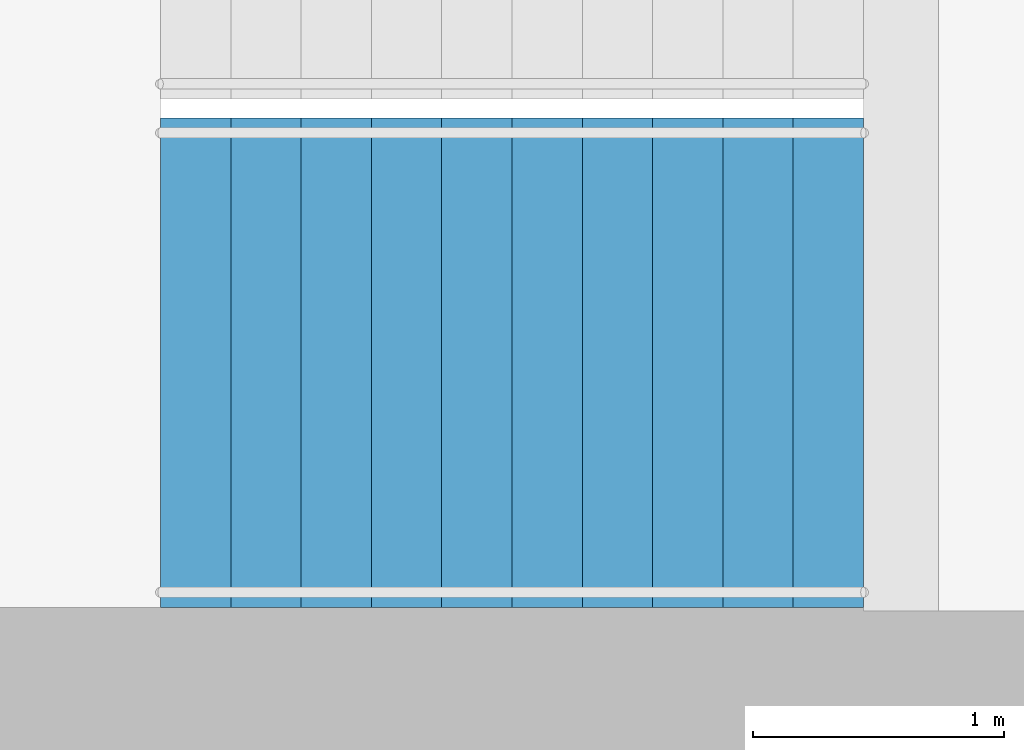
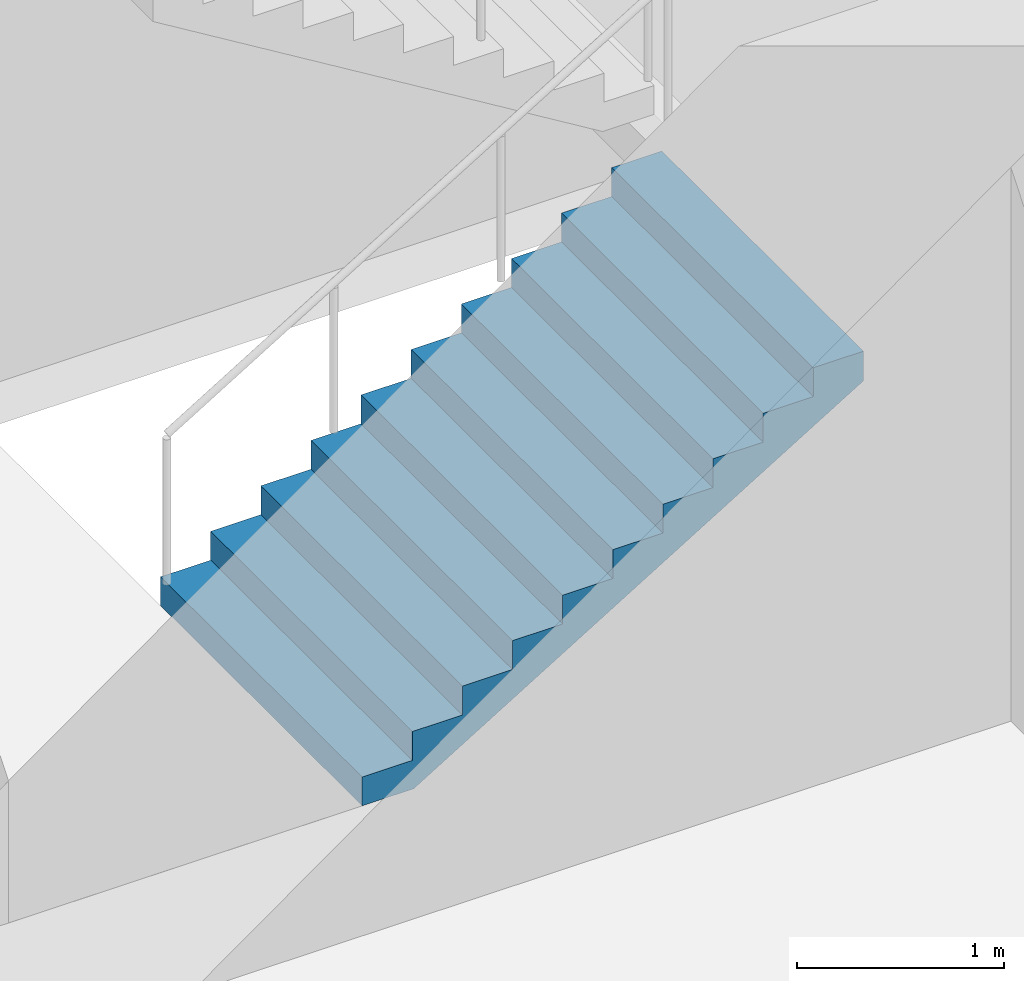
# One storey, part 17 of 21: 1 stair flight, 1 element without a shape of its own.
"""IFC4 building model written with IfcOpenShell, lengths in metres."""

from ifc_helpers import new_model, si_unit, direction, frame, origin, place, context, subcontext, project, spatial, triangles, material, type_object, element, aggregate, save


model = new_model("IFC4")

# Units and contexts
model_context = context("Model", 3, precision=1e-05, world=origin(), true_north=direction((0.0, 1.0)))
body_context = subcontext(model_context, "Body", "Model", "MODEL_VIEW")
ifc_project = project(units=[si_unit("LENGTHUNIT", "METRE"), si_unit("AREAUNIT", "SQUARE_METRE"), si_unit("VOLUMEUNIT", "CUBIC_METRE"), si_unit("PLANEANGLEUNIT", "RADIAN"), si_unit("MASSUNIT", "GRAM", prefix="KILO")], contexts=[model_context])

# Site, building, storey
site_placement = place(None, origin())
site = spatial("IfcSite", under=ifc_project, at=site_placement, CompositionType="ELEMENT")
building_placement = place(site_placement, origin())
building = spatial("IfcBuilding", under=site, at=building_placement, Name="Orbita Commons", CompositionType="ELEMENT")
storey_placement = place(building_placement, frame((0.0, 0.0, 103.14990234375)))
storey = spatial("IfcBuildingStorey", under=building, at=storey_placement, Name="L25", CompositionType="ELEMENT", Elevation=103.14990234375)

# Stair, stair flight
ifc_material_1 = material(Name="Precast concrete C40/50", Category="concrete")
stair_type = type_object("IfcStairType", Name="Exit stair S1 2 flights 11 risers 170", PredefinedType="HALF_TURN_STAIR", material=ifc_material_1)
stair_placement = place(storey_placement, origin())
stair = element("IfcStair", 1, at=stair_placement, inside=storey, type_object=stair_type, Name="Exit stair S1 L25", PredefinedType="HALF_TURN_STAIR")
ifc_material_2 = material(Name="Precast concrete C40/50", Category="concrete")
stair_flight_type = type_object("IfcStairFlightType", Name="Stair flight 11 risers 170 x 280", PredefinedType="STRAIGHT", material=ifc_material_2)
stair_flight_placement = place(storey_placement, frame((20.449951171875, 27.25, 0.0), z_axis=(0.0, 0.0, 1.0), x_axis=(1.0, 0.0, 0.0)))
stair_flight = element("IfcStairFlight", 2, at=stair_flight_placement, type_object=stair_flight_type, Name="S1 flight 1", NumberOfRisers=11, NumberOfTreads=10, PredefinedType="STRAIGHT", RiserHeight=0.170454545, TreadLength=0.28, context=body_context, shape_type="Tessellation", body=[
    triangles([(0.0, 0.974976, 0.0), (0.0, 0.974976, 0.021307), (0.0, 0.81248, 0.021307), (0.0, 0.81248, 0.0), (0.0, 0.649984, 0.021307), (0.0, 0.649984, 0.0), (0.0, 0.487488, 0.021307), (0.0, 0.487488, 0.0), (0.0, 0.324992, 0.021307), (0.0, 0.324992, 0.0), (0.0, 0.162496, 0.021307), (0.0, 0.162496, 0.0), (0.0, 0.0, 0.021307), (0.0, 0.0, 0.0), (0.0, -0.162496, 0.021307), (0.0, -0.162496, 0.0), (0.0, -0.324992, 0.021307), (0.0, -0.324992, 0.0), (0.0, -0.487488, 0.021307), (0.0, -0.487488, 0.0), (0.0, -0.649984, 0.021307), (0.0, -0.649984, 0.0), (0.0, -0.81248, 0.021307), (0.0, -0.81248, 0.0), (0.0, -0.974976, 0.021307), (0.0, -0.974976, 0.0), (0.0, 0.974976, 0.042614), (0.0, 0.81248, 0.042614), (0.0, 0.649984, 0.042614), (0.0, 0.487488, 0.042614), (0.0, 0.324992, 0.042614), (0.0, 0.162496, 0.042614), (0.0, 0.0, 0.042614), (0.0, -0.162496, 0.042614), (0.0, -0.324992, 0.042614), (0.0, -0.487488, 0.042614), (0.0, -0.649984, 0.042614), (0.0, -0.81248, 0.042614), (0.0, -0.974976, 0.042614), (0.0, 0.974976, 0.06392), (0.0, 0.81248, 0.06392), (0.0, 0.649984, 0.06392), (0.0, 0.487488, 0.06392), (0.0, 0.324992, 0.06392), (0.0, 0.162496, 0.06392), (0.0, 0.0, 0.06392), (0.0, -0.162496, 0.06392), (0.0, -0.324992, 0.06392), (0.0, -0.487488, 0.06392), (0.0, -0.649984, 0.06392), (0.0, -0.81248, 0.06392), (0.0, -0.974976, 0.06392), (0.0, 0.974976, 0.085227), (0.0, 0.81248, 0.085227), (0.0, 0.649984, 0.085227), (0.0, 0.487488, 0.085227), (0.0, 0.324992, 0.085227), (0.0, 0.162496, 0.085227), (0.0, 0.0, 0.085227), (0.0, -0.162496, 0.085227), (0.0, -0.324992, 0.085227), (0.0, -0.487488, 0.085227), (0.0, -0.649984, 0.085227), (0.0, -0.81248, 0.085227), (0.0, -0.974976, 0.085227), (0.0, 0.974976, 0.106534), (0.0, 0.81248, 0.106534), (0.0, 0.649984, 0.106534), (0.0, 0.487488, 0.106534), (0.0, 0.324992, 0.106534), (0.0, 0.162496, 0.106534), (0.0, 0.0, 0.106534), (0.0, -0.162496, 0.106534), (0.0, -0.324992, 0.106534), (0.0, -0.487488, 0.106534), (0.0, -0.649984, 0.106534), (0.0, -0.81248, 0.106534), (0.0, -0.974976, 0.106534), (0.0, 0.974976, 0.127841), (0.0, 0.81248, 0.127841), (0.0, 0.649984, 0.127841), (0.0, 0.487488, 0.127841), (0.0, 0.324992, 0.127841), (0.0, 0.162496, 0.127841), (0.0, 0.0, 0.127841), (0.0, -0.162496, 0.127841), (0.0, -0.324992, 0.127841), (0.0, -0.487488, 0.127841), (0.0, -0.649984, 0.127841), (0.0, -0.81248, 0.127841), (0.0, -0.974976, 0.127841), (0.0, 0.974976, 0.149148), (0.0, 0.81248, 0.149148), (0.0, 0.649984, 0.149148), (0.0, 0.487488, 0.149148), (0.0, 0.324992, 0.149148), (0.0, 0.162496, 0.149148), (0.0, 0.0, 0.149148), (0.0, -0.162496, 0.149148), (0.0, -0.324992, 0.149148), (0.0, -0.487488, 0.149148), (0.0, -0.649984, 0.149148), (0.0, -0.81248, 0.149148), (0.0, -0.974976, 0.149148), (0.0, 0.974976, 0.170455), (0.0, 0.81248, 0.170455), (0.0, 0.649984, 0.170455), (0.0, 0.487488, 0.170455), (0.0, 0.324992, 0.170455), (0.0, 0.162496, 0.170455), (0.0, 0.0, 0.170455), (0.0, -0.162496, 0.170455), (0.0, -0.324992, 0.170455), (0.0, -0.487488, 0.170455), (0.0, -0.649984, 0.170455), (0.0, -0.81248, 0.170455), (0.0, -0.974976, 0.170455), (0.28, 0.974976, 0.170455), (0.28, 0.81248, 0.170455), (0.28, 0.649984, 0.170455), (0.28, 0.487488, 0.170455), (0.28, 0.324992, 0.170455), (0.28, 0.162496, 0.170455), (0.28, 0.0, 0.170455), (0.28, -0.162496, 0.170455), (0.28, -0.324992, 0.170455), (0.28, -0.487488, 0.170455), (0.28, -0.649984, 0.170455), (0.28, -0.81248, 0.170455), (0.28, -0.974976, 0.170455), (0.28, 0.974976, 0.340909), (0.28, 0.81248, 0.340909), (0.28, 0.649984, 0.340909), (0.28, 0.487488, 0.340909), (0.28, 0.324992, 0.340909), (0.28, 0.162496, 0.340909), (0.28, 0.0, 0.340909), (0.28, -0.162496, 0.340909), (0.28, -0.324992, 0.340909), (0.28, -0.487488, 0.340909), (0.28, -0.649984, 0.340909), (0.28, -0.81248, 0.340909), (0.28, -0.974976, 0.340909), (0.56, 0.974976, 0.340909), (0.56, 0.81248, 0.340909), (0.56, 0.649984, 0.340909), (0.56, 0.487488, 0.340909), (0.56, 0.324992, 0.340909), (0.56, 0.162496, 0.340909), (0.56, 0.0, 0.340909), (0.56, -0.162496, 0.340909), (0.56, -0.324992, 0.340909), (0.56, -0.487488, 0.340909), (0.56, -0.649984, 0.340909), (0.56, -0.81248, 0.340909), (0.56, -0.974976, 0.340909), (0.56, 0.974976, 0.511364), (0.56, 0.81248, 0.511364), (0.56, 0.649984, 0.511364), (0.56, 0.487488, 0.511364), (0.56, 0.324992, 0.511364), (0.56, 0.162496, 0.511364), (0.56, 0.0, 0.511364), (0.56, -0.162496, 0.511364), (0.56, -0.324992, 0.511364), (0.56, -0.487488, 0.511364), (0.56, -0.649984, 0.511364), (0.56, -0.81248, 0.511364), (0.56, -0.974976, 0.511364), (0.84, 0.974976, 0.511364), (0.84, 0.81248, 0.511364), (0.84, 0.649984, 0.511364), (0.84, 0.487488, 0.511364), (0.84, 0.324992, 0.511364), (0.84, 0.162496, 0.511364), (0.84, 0.0, 0.511364), (0.84, -0.162496, 0.511364), (0.84, -0.324992, 0.511364), (0.84, -0.487488, 0.511364), (0.84, -0.649984, 0.511364), (0.84, -0.81248, 0.511364), (0.84, -0.974976, 0.511364), (0.84, 0.974976, 0.681818), (0.84, 0.81248, 0.681818), (0.84, 0.649984, 0.681818), (0.84, 0.487488, 0.681818), (0.84, 0.324992, 0.681818), (0.84, 0.162496, 0.681818), (0.84, 0.0, 0.681818), (0.84, -0.162496, 0.681818), (0.84, -0.324992, 0.681818), (0.84, -0.487488, 0.681818), (0.84, -0.649984, 0.681818), (0.84, -0.81248, 0.681818), (0.84, -0.974976, 0.681818), (1.12, 0.974976, 0.681818), (1.12, 0.81248, 0.681818), (1.12, 0.649984, 0.681818), (1.12, 0.487488, 0.681818), (1.12, 0.324992, 0.681818), (1.12, 0.162496, 0.681818), (1.12, 0.0, 0.681818), (1.12, -0.162496, 0.681818), (1.12, -0.324992, 0.681818), (1.12, -0.487488, 0.681818), (1.12, -0.649984, 0.681818), (1.12, -0.81248, 0.681818), (1.12, -0.974976, 0.681818), (1.12, 0.974976, 0.852273), (1.12, 0.81248, 0.852273), (1.12, 0.649984, 0.852273), (1.12, 0.487488, 0.852273), (1.12, 0.324992, 0.852273), (1.12, 0.162496, 0.852273), (1.12, 0.0, 0.852273), (1.12, -0.162496, 0.852273), (1.12, -0.324992, 0.852273), (1.12, -0.487488, 0.852273), (1.12, -0.649984, 0.852273), (1.12, -0.81248, 0.852273), (1.12, -0.974976, 0.852273), (1.4, 0.974976, 0.852273), (1.4, 0.81248, 0.852273), (1.4, 0.649984, 0.852273), (1.4, 0.487488, 0.852273), (1.4, 0.324992, 0.852273), (1.4, 0.162496, 0.852273), (1.4, 0.0, 0.852273), (1.4, -0.162496, 0.852273), (1.4, -0.324992, 0.852273), (1.4, -0.487488, 0.852273), (1.4, -0.649984, 0.852273), (1.4, -0.81248, 0.852273), (1.4, -0.974976, 0.852273), (1.4, 0.974976, 1.022727), (1.4, 0.81248, 1.022727), (1.4, 0.649984, 1.022727), (1.4, 0.487488, 1.022727), (1.4, 0.324992, 1.022727), (1.4, 0.162496, 1.022727), (1.4, 0.0, 1.022727), (1.4, -0.162496, 1.022727), (1.4, -0.324992, 1.022727), (1.4, -0.487488, 1.022727), (1.4, -0.649984, 1.022727), (1.4, -0.81248, 1.022727), (1.4, -0.974976, 1.022727), (1.68, 0.974976, 1.022727), (1.68, 0.81248, 1.022727), (1.68, 0.649984, 1.022727), (1.68, 0.487488, 1.022727), (1.68, 0.324992, 1.022727), (1.68, 0.162496, 1.022727), (1.68, 0.0, 1.022727), (1.68, -0.162496, 1.022727), (1.68, -0.324992, 1.022727), (1.68, -0.487488, 1.022727), (1.68, -0.649984, 1.022727), (1.68, -0.81248, 1.022727), (1.68, -0.974976, 1.022727), (1.68, 0.974976, 1.193182), (1.68, 0.81248, 1.193182), (1.68, 0.649984, 1.193182), (1.68, 0.487488, 1.193182), (1.68, 0.324992, 1.193182), (1.68, 0.162496, 1.193182), (1.68, 0.0, 1.193182), (1.68, -0.162496, 1.193182), (1.68, -0.324992, 1.193182), (1.68, -0.487488, 1.193182), (1.68, -0.649984, 1.193182), (1.68, -0.81248, 1.193182), (1.68, -0.974976, 1.193182), (1.96, 0.974976, 1.193182), (1.96, 0.81248, 1.193182), (1.96, 0.649984, 1.193182), (1.96, 0.487488, 1.193182), (1.96, 0.324992, 1.193182), (1.96, 0.162496, 1.193182), (1.96, 0.0, 1.193182), (1.96, -0.162496, 1.193182), (1.96, -0.324992, 1.193182), (1.96, -0.487488, 1.193182), (1.96, -0.649984, 1.193182), (1.96, -0.81248, 1.193182), (1.96, -0.974976, 1.193182), (1.96, 0.974976, 1.363636), (1.96, 0.81248, 1.363636), (1.96, 0.649984, 1.363636), (1.96, 0.487488, 1.363636), (1.96, 0.324992, 1.363636), (1.96, 0.162496, 1.363636), (1.96, 0.0, 1.363636), (1.96, -0.162496, 1.363636), (1.96, -0.324992, 1.363636), (1.96, -0.487488, 1.363636), (1.96, -0.649984, 1.363636), (1.96, -0.81248, 1.363636), (1.96, -0.974976, 1.363636), (2.24, 0.974976, 1.363636), (2.24, 0.81248, 1.363636), (2.24, 0.649984, 1.363636), (2.24, 0.487488, 1.363636), (2.24, 0.324992, 1.363636), (2.24, 0.162496, 1.363636), (2.24, 0.0, 1.363636), (2.24, -0.162496, 1.363636), (2.24, -0.324992, 1.363636), (2.24, -0.487488, 1.363636), (2.24, -0.649984, 1.363636), (2.24, -0.81248, 1.363636), (2.24, -0.974976, 1.363636), (2.24, 0.974976, 1.534091), (2.24, 0.81248, 1.534091), (2.24, 0.649984, 1.534091), (2.24, 0.487488, 1.534091), (2.24, 0.324992, 1.534091), (2.24, 0.162496, 1.534091), (2.24, 0.0, 1.534091), (2.24, -0.162496, 1.534091), (2.24, -0.324992, 1.534091), (2.24, -0.487488, 1.534091), (2.24, -0.649984, 1.534091), (2.24, -0.81248, 1.534091), (2.24, -0.974976, 1.534091), (2.52, 0.974976, 1.534091), (2.52, 0.81248, 1.534091), (2.52, 0.649984, 1.534091), (2.52, 0.487488, 1.534091), (2.52, 0.324992, 1.534091), (2.52, 0.162496, 1.534091), (2.52, 0.0, 1.534091), (2.52, -0.162496, 1.534091), (2.52, -0.324992, 1.534091), (2.52, -0.487488, 1.534091), (2.52, -0.649984, 1.534091), (2.52, -0.81248, 1.534091), (2.52, -0.974976, 1.534091), (2.52, 0.974976, 1.704545), (2.52, 0.81248, 1.704545), (2.52, 0.649984, 1.704545), (2.52, 0.487488, 1.704545), (2.52, 0.324992, 1.704545), (2.52, 0.162496, 1.704545), (2.52, 0.0, 1.704545), (2.52, -0.162496, 1.704545), (2.52, -0.324992, 1.704545), (2.52, -0.487488, 1.704545), (2.52, -0.649984, 1.704545), (2.52, -0.81248, 1.704545), (2.52, -0.974976, 1.704545), (2.8, 0.974976, 1.704545), (2.8, 0.81248, 1.704545), (2.8, 0.649984, 1.704545), (2.8, 0.487488, 1.704545), (2.8, 0.324992, 1.704545), (2.8, 0.162496, 1.704545), (2.8, 0.0, 1.704545), (2.8, -0.162496, 1.704545), (2.8, -0.324992, 1.704545), (2.8, -0.487488, 1.704545), (2.8, -0.649984, 1.704545), (2.8, -0.81248, 1.704545), (2.8, -0.974976, 1.704545), (2.8, 0.974976, 1.682609), (2.8, 0.81248, 1.682609), (2.8, 0.649984, 1.682609), (2.8, 0.487488, 1.682609), (2.8, 0.324992, 1.682609), (2.8, 0.162496, 1.682609), (2.8, 0.0, 1.682609), (2.8, -0.162496, 1.682609), (2.8, -0.324992, 1.682609), (2.8, -0.487488, 1.682609), (2.8, -0.649984, 1.682609), (2.8, -0.81248, 1.682609), (2.8, -0.974976, 1.682609), (2.8, 0.974976, 1.660672), (2.8, 0.81248, 1.660672), (2.8, 0.649984, 1.660672), (2.8, 0.487488, 1.660672), (2.8, 0.324992, 1.660672), (2.8, 0.162496, 1.660672), (2.8, 0.0, 1.660672), (2.8, -0.162496, 1.660672), (2.8, -0.324992, 1.660672), (2.8, -0.487488, 1.660672), (2.8, -0.649984, 1.660672), (2.8, -0.81248, 1.660672), (2.8, -0.974976, 1.660672), (2.8, 0.974976, 1.638735), (2.8, 0.81248, 1.638735), (2.8, 0.649984, 1.638735), (2.8, 0.487488, 1.638735), (2.8, 0.324992, 1.638735), (2.8, 0.162496, 1.638735), (2.8, 0.0, 1.638735), (2.8, -0.162496, 1.638735), (2.8, -0.324992, 1.638735), (2.8, -0.487488, 1.638735), (2.8, -0.649984, 1.638735), (2.8, -0.81248, 1.638735), (2.8, -0.974976, 1.638735), (2.8, 0.974976, 1.616798), (2.8, 0.81248, 1.616798), (2.8, 0.649984, 1.616798), (2.8, 0.487488, 1.616798), (2.8, 0.324992, 1.616798), (2.8, 0.162496, 1.616798), (2.8, 0.0, 1.616798), (2.8, -0.162496, 1.616798), (2.8, -0.324992, 1.616798), (2.8, -0.487488, 1.616798), (2.8, -0.649984, 1.616798), (2.8, -0.81248, 1.616798), (2.8, -0.974976, 1.616798), (2.8, 0.974976, 1.594861), (2.8, 0.81248, 1.594861), (2.8, 0.649984, 1.594861), (2.8, 0.487488, 1.594861), (2.8, 0.324992, 1.594861), (2.8, 0.162496, 1.594861), (2.8, 0.0, 1.594861), (2.8, -0.162496, 1.594861), (2.8, -0.324992, 1.594861), (2.8, -0.487488, 1.594861), (2.8, -0.649984, 1.594861), (2.8, -0.81248, 1.594861), (2.8, -0.974976, 1.594861), (2.8, 0.974976, 1.572925), (2.8, 0.81248, 1.572925), (2.8, 0.649984, 1.572925), (2.8, 0.487488, 1.572925), (2.8, 0.324992, 1.572925), (2.8, 0.162496, 1.572925), (2.8, 0.0, 1.572925), (2.8, -0.162496, 1.572925), (2.8, -0.324992, 1.572925), (2.8, -0.487488, 1.572925), (2.8, -0.649984, 1.572925), (2.8, -0.81248, 1.572925), (2.8, -0.974976, 1.572925), (2.8, 0.974976, 1.550988), (2.8, 0.81248, 1.550988), (2.8, 0.649984, 1.550988), (2.8, 0.487488, 1.550988), (2.8, 0.324992, 1.550988), (2.8, 0.162496, 1.550988), (2.8, 0.0, 1.550988), (2.8, -0.162496, 1.550988), (2.8, -0.324992, 1.550988), (2.8, -0.487488, 1.550988), (2.8, -0.649984, 1.550988), (2.8, -0.81248, 1.550988), (2.8, -0.974976, 1.550988), (2.8, 0.974976, 1.529051), (2.8, 0.81248, 1.529051), (2.8, 0.649984, 1.529051), (2.8, 0.487488, 1.529051), (2.8, 0.324992, 1.529051), (2.8, 0.162496, 1.529051), (2.8, 0.0, 1.529051), (2.8, -0.162496, 1.529051), (2.8, -0.324992, 1.529051), (2.8, -0.487488, 1.529051), (2.8, -0.649984, 1.529051), (2.8, -0.81248, 1.529051), (2.8, -0.974976, 1.529051), (0.288279, 0.974976, 0.0), (0.288279, 0.81248, 0.0), (0.288279, 0.649984, 0.0), (0.288279, 0.487488, 0.0), (0.288279, 0.324992, 0.0), (0.288279, 0.162496, 0.0), (0.288279, 0.0, 0.0), (0.288279, -0.162496, 0.0), (0.288279, -0.324992, 0.0), (0.288279, -0.487488, 0.0), (0.288279, -0.649984, 0.0), (0.288279, -0.81248, 0.0), (0.288279, -0.974976, 0.0)], [[3, 2, 1], [4, 3, 1], [5, 3, 4], [6, 5, 4], [7, 5, 6], [8, 7, 6], [9, 7, 8], [10, 9, 8], [11, 9, 10], [12, 11, 10], [13, 11, 12], [14, 13, 12], [15, 13, 14], [16, 15, 14], [17, 15, 16], [18, 17, 16], [19, 17, 18], [20, 19, 18], [21, 19, 20], [22, 21, 20], [23, 21, 22], [24, 23, 22], [25, 23, 24], [26, 25, 24], [28, 27, 2], [3, 28, 2], [29, 28, 3], [5, 29, 3], [30, 29, 5], [7, 30, 5], [31, 30, 7], [9, 31, 7], [32, 31, 9], [11, 32, 9], [33, 32, 11], [13, 33, 11], [34, 33, 13], [15, 34, 13], [35, 34, 15], [17, 35, 15], [36, 35, 17], [19, 36, 17], [37, 36, 19], [21, 37, 19], [38, 37, 21], [23, 38, 21], [39, 38, 23], [25, 39, 23], [41, 40, 27], [28, 41, 27], [42, 41, 28], [29, 42, 28], [43, 42, 29], [30, 43, 29], [44, 43, 30], [31, 44, 30], [45, 44, 31], [32, 45, 31], [46, 45, 32], [33, 46, 32], [47, 46, 33], [34, 47, 33], [48, 47, 34], [35, 48, 34], [49, 48, 35], [36, 49, 35], [50, 49, 36], [37, 50, 36], [51, 50, 37], [38, 51, 37], [52, 51, 38], [39, 52, 38], [54, 53, 40], [41, 54, 40], [55, 54, 41], [42, 55, 41], [56, 55, 42], [43, 56, 42], [57, 56, 43], [44, 57, 43], [58, 57, 44], [45, 58, 44], [59, 58, 45], [46, 59, 45], [60, 59, 46], [47, 60, 46], [61, 60, 47], [48, 61, 47], [62, 61, 48], [49, 62, 48], [63, 62, 49], [50, 63, 49], [64, 63, 50], [51, 64, 50], [65, 64, 51], [52, 65, 51], [67, 66, 53], [54, 67, 53], [68, 67, 54], [55, 68, 54], [69, 68, 55], [56, 69, 55], [70, 69, 56], [57, 70, 56], [71, 70, 57], [58, 71, 57], [72, 71, 58], [59, 72, 58], [73, 72, 59], [60, 73, 59], [74, 73, 60], [61, 74, 60], [75, 74, 61], [62, 75, 61], [76, 75, 62], [63, 76, 62], [77, 76, 63], [64, 77, 63], [78, 77, 64], [65, 78, 64], [80, 79, 66], [67, 80, 66], [81, 80, 67], [68, 81, 67], [82, 81, 68], [69, 82, 68], [83, 82, 69], [70, 83, 69], [84, 83, 70], [71, 84, 70], [85, 84, 71], [72, 85, 71], [86, 85, 72], [73, 86, 72], [87, 86, 73], [74, 87, 73], [88, 87, 74], [75, 88, 74], [89, 88, 75], [76, 89, 75], [90, 89, 76], [77, 90, 76], [91, 90, 77], [78, 91, 77], [93, 92, 79], [80, 93, 79], [94, 93, 80], [81, 94, 80], [95, 94, 81], [82, 95, 81], [96, 95, 82], [83, 96, 82], [97, 96, 83], [84, 97, 83], [98, 97, 84], [85, 98, 84], [99, 98, 85], [86, 99, 85], [100, 99, 86], [87, 100, 86], [101, 100, 87], [88, 101, 87], [102, 101, 88], [89, 102, 88], [103, 102, 89], [90, 103, 89], [104, 103, 90], [91, 104, 90], [106, 105, 92], [93, 106, 92], [107, 106, 93], [94, 107, 93], [108, 107, 94], [95, 108, 94], [109, 108, 95], [96, 109, 95], [110, 109, 96], [97, 110, 96], [111, 110, 97], [98, 111, 97], [112, 111, 98], [99, 112, 98], [113, 112, 99], [100, 113, 99], [114, 113, 100], [101, 114, 100], [115, 114, 101], [102, 115, 101], [116, 115, 102], [103, 116, 102], [117, 116, 103], [104, 117, 103], [119, 118, 105], [106, 119, 105], [120, 119, 106], [107, 120, 106], [121, 120, 107], [108, 121, 107], [122, 121, 108], [109, 122, 108], [123, 122, 109], [110, 123, 109], [124, 123, 110], [111, 124, 110], [125, 124, 111], [112, 125, 111], [126, 125, 112], [113, 126, 112], [127, 126, 113], [114, 127, 113], [128, 127, 114], [115, 128, 114], [129, 128, 115], [116, 129, 115], [130, 129, 116], [117, 130, 116], [132, 131, 118], [119, 132, 118], [133, 132, 119], [120, 133, 119], [134, 133, 120], [121, 134, 120], [135, 134, 121], [122, 135, 121], [136, 135, 122], [123, 136, 122], [137, 136, 123], [124, 137, 123], [138, 137, 124], [125, 138, 124], [139, 138, 125], [126, 139, 125], [140, 139, 126], [127, 140, 126], [141, 140, 127], [128, 141, 127], [142, 141, 128], [129, 142, 128], [143, 142, 129], [130, 143, 129], [145, 144, 131], [132, 145, 131], [146, 145, 132], [133, 146, 132], [147, 146, 133], [134, 147, 133], [148, 147, 134], [135, 148, 134], [149, 148, 135], [136, 149, 135], [150, 149, 136], [137, 150, 136], [151, 150, 137], [138, 151, 137], [152, 151, 138], [139, 152, 138], [153, 152, 139], [140, 153, 139], [154, 153, 140], [141, 154, 140], [155, 154, 141], [142, 155, 141], [156, 155, 142], [143, 156, 142], [158, 157, 144], [145, 158, 144], [159, 158, 145], [146, 159, 145], [160, 159, 146], [147, 160, 146], [161, 160, 147], [148, 161, 147], [162, 161, 148], [149, 162, 148], [163, 162, 149], [150, 163, 149], [164, 163, 150], [151, 164, 150], [165, 164, 151], [152, 165, 151], [166, 165, 152], [153, 166, 152], [167, 166, 153], [154, 167, 153], [168, 167, 154], [155, 168, 154], [169, 168, 155], [156, 169, 155], [171, 170, 157], [158, 171, 157], [172, 171, 158], [159, 172, 158], [173, 172, 159], [160, 173, 159], [174, 173, 160], [161, 174, 160], [175, 174, 161], [162, 175, 161], [176, 175, 162], [163, 176, 162], [177, 176, 163], [164, 177, 163], [178, 177, 164], [165, 178, 164], [179, 178, 165], [166, 179, 165], [180, 179, 166], [167, 180, 166], [181, 180, 167], [168, 181, 167], [182, 181, 168], [169, 182, 168], [184, 183, 170], [171, 184, 170], [185, 184, 171], [172, 185, 171], [186, 185, 172], [173, 186, 172], [187, 186, 173], [174, 187, 173], [188, 187, 174], [175, 188, 174], [189, 188, 175], [176, 189, 175], [190, 189, 176], [177, 190, 176], [191, 190, 177], [178, 191, 177], [192, 191, 178], [179, 192, 178], [193, 192, 179], [180, 193, 179], [194, 193, 180], [181, 194, 180], [195, 194, 181], [182, 195, 181], [197, 196, 183], [184, 197, 183], [198, 197, 184], [185, 198, 184], [199, 198, 185], [186, 199, 185], [200, 199, 186], [187, 200, 186], [201, 200, 187], [188, 201, 187], [202, 201, 188], [189, 202, 188], [203, 202, 189], [190, 203, 189], [204, 203, 190], [191, 204, 190], [205, 204, 191], [192, 205, 191], [206, 205, 192], [193, 206, 192], [207, 206, 193], [194, 207, 193], [208, 207, 194], [195, 208, 194], [210, 209, 196], [197, 210, 196], [211, 210, 197], [198, 211, 197], [212, 211, 198], [199, 212, 198], [213, 212, 199], [200, 213, 199], [214, 213, 200], [201, 214, 200], [215, 214, 201], [202, 215, 201], [216, 215, 202], [203, 216, 202], [217, 216, 203], [204, 217, 203], [218, 217, 204], [205, 218, 204], [219, 218, 205], [206, 219, 205], [220, 219, 206], [207, 220, 206], [221, 220, 207], [208, 221, 207], [223, 222, 209], [210, 223, 209], [224, 223, 210], [211, 224, 210], [225, 224, 211], [212, 225, 211], [226, 225, 212], [213, 226, 212], [227, 226, 213], [214, 227, 213], [228, 227, 214], [215, 228, 214], [229, 228, 215], [216, 229, 215], [230, 229, 216], [217, 230, 216], [231, 230, 217], [218, 231, 217], [232, 231, 218], [219, 232, 218], [233, 232, 219], [220, 233, 219], [234, 233, 220], [221, 234, 220], [236, 235, 222], [223, 236, 222], [237, 236, 223], [224, 237, 223], [238, 237, 224], [225, 238, 224], [239, 238, 225], [226, 239, 225], [240, 239, 226], [227, 240, 226], [241, 240, 227], [228, 241, 227], [242, 241, 228], [229, 242, 228], [243, 242, 229], [230, 243, 229], [244, 243, 230], [231, 244, 230], [245, 244, 231], [232, 245, 231], [246, 245, 232], [233, 246, 232], [247, 246, 233], [234, 247, 233], [249, 248, 235], [236, 249, 235], [250, 249, 236], [237, 250, 236], [251, 250, 237], [238, 251, 237], [252, 251, 238], [239, 252, 238], [253, 252, 239], [240, 253, 239], [254, 253, 240], [241, 254, 240], [255, 254, 241], [242, 255, 241], [256, 255, 242], [243, 256, 242], [257, 256, 243], [244, 257, 243], [258, 257, 244], [245, 258, 244], [259, 258, 245], [246, 259, 245], [260, 259, 246], [247, 260, 246], [262, 261, 248], [249, 262, 248], [263, 262, 249], [250, 263, 249], [264, 263, 250], [251, 264, 250], [265, 264, 251], [252, 265, 251], [266, 265, 252], [253, 266, 252], [267, 266, 253], [254, 267, 253], [268, 267, 254], [255, 268, 254], [269, 268, 255], [256, 269, 255], [270, 269, 256], [257, 270, 256], [271, 270, 257], [258, 271, 257], [272, 271, 258], [259, 272, 258], [273, 272, 259], [260, 273, 259], [275, 274, 261], [262, 275, 261], [276, 275, 262], [263, 276, 262], [277, 276, 263], [264, 277, 263], [278, 277, 264], [265, 278, 264], [279, 278, 265], [266, 279, 265], [280, 279, 266], [267, 280, 266], [281, 280, 267], [268, 281, 267], [282, 281, 268], [269, 282, 268], [283, 282, 269], [270, 283, 269], [284, 283, 270], [271, 284, 270], [285, 284, 271], [272, 285, 271], [286, 285, 272], [273, 286, 272], [288, 287, 274], [275, 288, 274], [289, 288, 275], [276, 289, 275], [290, 289, 276], [277, 290, 276], [291, 290, 277], [278, 291, 277], [292, 291, 278], [279, 292, 278], [293, 292, 279], [280, 293, 279], [294, 293, 280], [281, 294, 280], [295, 294, 281], [282, 295, 281], [296, 295, 282], [283, 296, 282], [297, 296, 283], [284, 297, 283], [298, 297, 284], [285, 298, 284], [299, 298, 285], [286, 299, 285], [301, 300, 287], [288, 301, 287], [302, 301, 288], [289, 302, 288], [303, 302, 289], [290, 303, 289], [304, 303, 290], [291, 304, 290], [305, 304, 291], [292, 305, 291], [306, 305, 292], [293, 306, 292], [307, 306, 293], [294, 307, 293], [308, 307, 294], [295, 308, 294], [309, 308, 295], [296, 309, 295], [310, 309, 296], [297, 310, 296], [311, 310, 297], [298, 311, 297], [312, 311, 298], [299, 312, 298], [314, 313, 300], [301, 314, 300], [315, 314, 301], [302, 315, 301], [316, 315, 302], [303, 316, 302], [317, 316, 303], [304, 317, 303], [318, 317, 304], [305, 318, 304], [319, 318, 305], [306, 319, 305], [320, 319, 306], [307, 320, 306], [321, 320, 307], [308, 321, 307], [322, 321, 308], [309, 322, 308], [323, 322, 309], [310, 323, 309], [324, 323, 310], [311, 324, 310], [325, 324, 311], [312, 325, 311], [327, 326, 313], [314, 327, 313], [328, 327, 314], [315, 328, 314], [329, 328, 315], [316, 329, 315], [330, 329, 316], [317, 330, 316], [331, 330, 317], [318, 331, 317], [332, 331, 318], [319, 332, 318], [333, 332, 319], [320, 333, 319], [334, 333, 320], [321, 334, 320], [335, 334, 321], [322, 335, 321], [336, 335, 322], [323, 336, 322], [337, 336, 323], [324, 337, 323], [338, 337, 324], [325, 338, 324], [340, 339, 326], [327, 340, 326], [341, 340, 327], [328, 341, 327], [342, 341, 328], [329, 342, 328], [343, 342, 329], [330, 343, 329], [344, 343, 330], [331, 344, 330], [345, 344, 331], [332, 345, 331], [346, 345, 332], [333, 346, 332], [347, 346, 333], [334, 347, 333], [348, 347, 334], [335, 348, 334], [349, 348, 335], [336, 349, 335], [350, 349, 336], [337, 350, 336], [351, 350, 337], [338, 351, 337], [353, 352, 339], [340, 353, 339], [354, 353, 340], [341, 354, 340], [355, 354, 341], [342, 355, 341], [356, 355, 342], [343, 356, 342], [357, 356, 343], [344, 357, 343], [358, 357, 344], [345, 358, 344], [359, 358, 345], [346, 359, 345], [360, 359, 346], [347, 360, 346], [361, 360, 347], [348, 361, 347], [362, 361, 348], [349, 362, 348], [363, 362, 349], [350, 363, 349], [364, 363, 350], [351, 364, 350], [366, 365, 352], [353, 366, 352], [367, 366, 353], [354, 367, 353], [368, 367, 354], [355, 368, 354], [369, 368, 355], [356, 369, 355], [370, 369, 356], [357, 370, 356], [371, 370, 357], [358, 371, 357], [372, 371, 358], [359, 372, 358], [373, 372, 359], [360, 373, 359], [374, 373, 360], [361, 374, 360], [375, 374, 361], [362, 375, 361], [376, 375, 362], [363, 376, 362], [377, 376, 363], [364, 377, 363], [379, 378, 365], [366, 379, 365], [380, 379, 366], [367, 380, 366], [381, 380, 367], [368, 381, 367], [382, 381, 368], [369, 382, 368], [383, 382, 369], [370, 383, 369], [384, 383, 370], [371, 384, 370], [385, 384, 371], [372, 385, 371], [386, 385, 372], [373, 386, 372], [387, 386, 373], [374, 387, 373], [388, 387, 374], [375, 388, 374], [389, 388, 375], [376, 389, 375], [390, 389, 376], [377, 390, 376], [392, 391, 378], [379, 392, 378], [393, 392, 379], [380, 393, 379], [394, 393, 380], [381, 394, 380], [395, 394, 381], [382, 395, 381], [396, 395, 382], [383, 396, 382], [397, 396, 383], [384, 397, 383], [398, 397, 384], [385, 398, 384], [399, 398, 385], [386, 399, 385], [400, 399, 386], [387, 400, 386], [401, 400, 387], [388, 401, 387], [402, 401, 388], [389, 402, 388], [403, 402, 389], [390, 403, 389], [405, 404, 391], [392, 405, 391], [406, 405, 392], [393, 406, 392], [407, 406, 393], [394, 407, 393], [408, 407, 394], [395, 408, 394], [409, 408, 395], [396, 409, 395], [410, 409, 396], [397, 410, 396], [411, 410, 397], [398, 411, 397], [412, 411, 398], [399, 412, 398], [413, 412, 399], [400, 413, 399], [414, 413, 400], [401, 414, 400], [415, 414, 401], [402, 415, 401], [416, 415, 402], [403, 416, 402], [418, 417, 404], [405, 418, 404], [419, 418, 405], [406, 419, 405], [420, 419, 406], [407, 420, 406], [421, 420, 407], [408, 421, 407], [422, 421, 408], [409, 422, 408], [423, 422, 409], [410, 423, 409], [424, 423, 410], [411, 424, 410], [425, 424, 411], [412, 425, 411], [426, 425, 412], [413, 426, 412], [427, 426, 413], [414, 427, 413], [428, 427, 414], [415, 428, 414], [429, 428, 415], [416, 429, 415], [431, 430, 417], [418, 431, 417], [432, 431, 418], [419, 432, 418], [433, 432, 419], [420, 433, 419], [434, 433, 420], [421, 434, 420], [435, 434, 421], [422, 435, 421], [436, 435, 422], [423, 436, 422], [437, 436, 423], [424, 437, 423], [438, 437, 424], [425, 438, 424], [439, 438, 425], [426, 439, 425], [440, 439, 426], [427, 440, 426], [441, 440, 427], [428, 441, 427], [442, 441, 428], [429, 442, 428], [444, 443, 430], [431, 444, 430], [445, 444, 431], [432, 445, 431], [446, 445, 432], [433, 446, 432], [447, 446, 433], [434, 447, 433], [448, 447, 434], [435, 448, 434], [449, 448, 435], [436, 449, 435], [450, 449, 436], [437, 450, 436], [451, 450, 437], [438, 451, 437], [452, 451, 438], [439, 452, 438], [453, 452, 439], [440, 453, 439], [454, 453, 440], [441, 454, 440], [455, 454, 441], [442, 455, 441], [457, 456, 443], [444, 457, 443], [458, 457, 444], [445, 458, 444], [459, 458, 445], [446, 459, 445], [460, 459, 446], [447, 460, 446], [461, 460, 447], [448, 461, 447], [462, 461, 448], [449, 462, 448], [463, 462, 449], [450, 463, 449], [464, 463, 450], [451, 464, 450], [465, 464, 451], [452, 465, 451], [466, 465, 452], [453, 466, 452], [467, 466, 453], [454, 467, 453], [468, 467, 454], [455, 468, 454], [470, 469, 456], [457, 470, 456], [471, 470, 457], [458, 471, 457], [472, 471, 458], [459, 472, 458], [473, 472, 459], [460, 473, 459], [474, 473, 460], [461, 474, 460], [475, 474, 461], [462, 475, 461], [476, 475, 462], [463, 476, 462], [477, 476, 463], [464, 477, 463], [478, 477, 464], [465, 478, 464], [479, 478, 465], [466, 479, 465], [480, 479, 466], [467, 480, 466], [481, 480, 467], [468, 481, 467], [4, 1, 469], [470, 4, 469], [6, 4, 470], [471, 6, 470], [8, 6, 471], [472, 8, 471], [10, 8, 472], [473, 10, 472], [12, 10, 473], [474, 12, 473], [14, 12, 474], [475, 14, 474], [16, 14, 475], [476, 16, 475], [18, 16, 476], [477, 18, 476], [20, 18, 477], [478, 20, 477], [22, 20, 478], [479, 22, 478], [24, 22, 479], [480, 24, 479], [26, 24, 480], [481, 26, 480], [456, 469, 1], [26, 481, 468], [443, 456, 1], [26, 468, 455], [430, 443, 1], [26, 455, 442], [417, 430, 1], [26, 442, 429], [404, 417, 1], [26, 429, 416], [391, 404, 1], [26, 416, 403], [378, 391, 1], [26, 403, 390], [365, 378, 1], [26, 390, 377], [339, 352, 365], [377, 364, 351], [326, 339, 365], [377, 351, 338], [300, 313, 326], [338, 325, 312], [300, 326, 365], [377, 338, 312], [274, 287, 300], [312, 299, 286], [274, 300, 365], [377, 312, 286], [248, 261, 274], [286, 273, 260], [248, 274, 365], [377, 286, 260], [222, 235, 248], [260, 247, 234], [222, 248, 365], [377, 260, 234], [196, 209, 222], [234, 221, 208], [196, 222, 365], [377, 234, 208], [170, 183, 196], [208, 195, 182], [170, 196, 365], [377, 208, 182], [144, 157, 170], [182, 169, 156], [144, 170, 365], [377, 182, 156], [118, 131, 144], [156, 143, 130], [118, 144, 365], [377, 156, 130], [118, 365, 1], [26, 377, 130], [92, 105, 118], [130, 117, 104], [79, 92, 118], [130, 104, 91], [66, 79, 118], [130, 91, 78], [53, 66, 118], [130, 78, 65], [40, 53, 118], [130, 65, 52], [27, 40, 118], [130, 52, 39], [2, 27, 118], [130, 39, 25], [1, 2, 118], [130, 25, 26]], closed=True),
])
aggregate(stair, [stair_flight])

save(model, "model.ifc")
